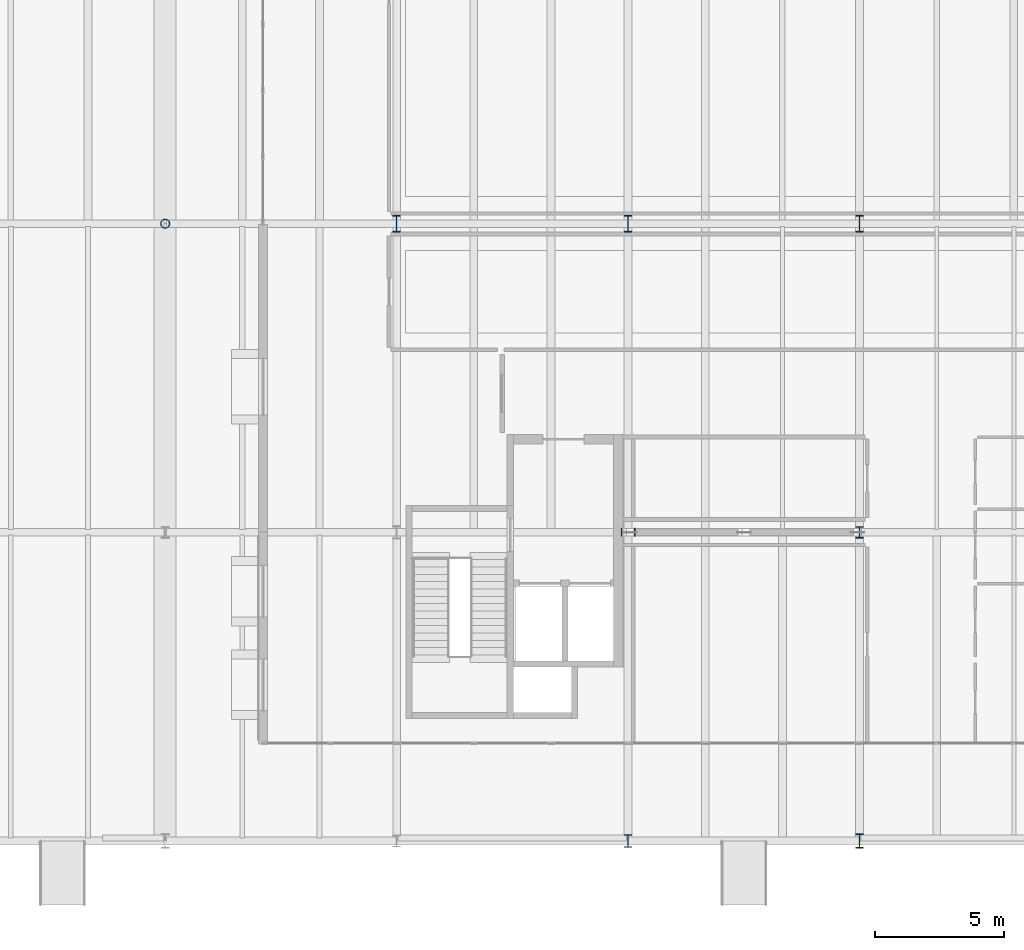
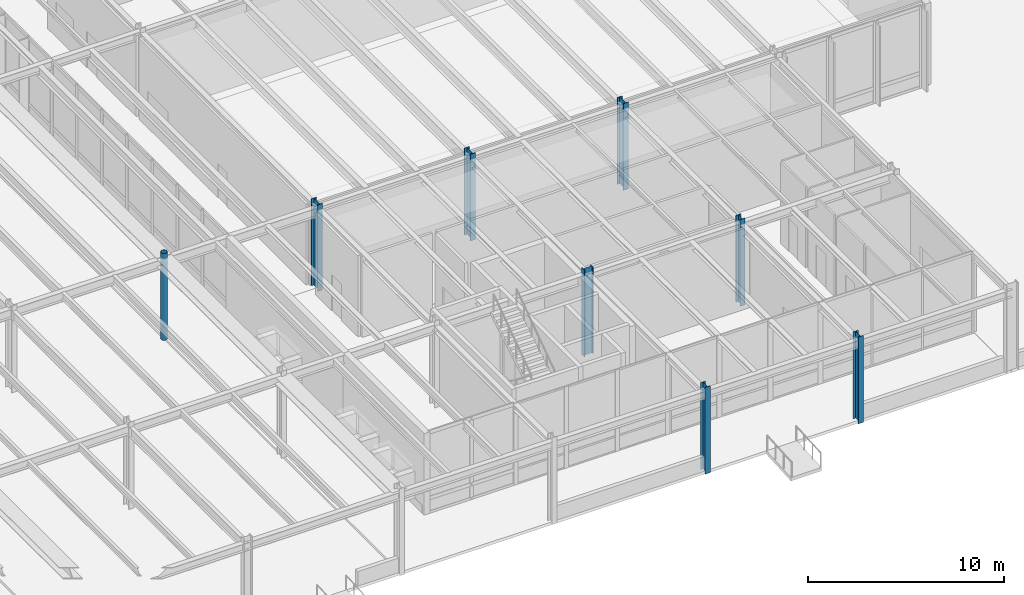
# One storey, part 5 of 143: 8 columns.
"""IFC4 building model written with IfcOpenShell, lengths in metres."""

from ifc_helpers import new_model, si_unit, direction, frame, origin, origin_2d, place, context, subcontext, project, spatial, hollow_circle, i_section, extrude, material, material_profile, profile_set, type_object, element, save


model = new_model("IFC4")

# Units and contexts
model_context = context("Model", 3, precision=1e-05, world=origin(), true_north=direction((0.0, 1.0)))
body_context = subcontext(model_context, "Body", "Model", "MODEL_VIEW")
ifc_project = project(units=[si_unit("LENGTHUNIT", "METRE"), si_unit("AREAUNIT", "SQUARE_METRE"), si_unit("VOLUMEUNIT", "CUBIC_METRE"), si_unit("PLANEANGLEUNIT", "RADIAN"), si_unit("MASSUNIT", "GRAM", prefix="KILO")], contexts=[model_context])

# Site, building, storey
site_placement = place(None, origin())
site = spatial("IfcSite", under=ifc_project, at=site_placement, CompositionType="ELEMENT")
building_placement = place(site_placement, origin())
building = spatial("IfcBuilding", under=site, at=building_placement, Name="Montelvaro Courts of Justice", CompositionType="ELEMENT")
storey_placement = place(building_placement, origin())
storey = spatial("IfcBuildingStorey", under=building, at=storey_placement, Name="L00", CompositionType="ELEMENT", Elevation=0.0)

# Columns
ifc_material = material(Name="Steel S355", Category="steel")
ifc_material_profile_1 = material_profile(ifc_material, hollow_circle(Radius=0.177734375, WallThickness=0.01611328125, at=origin_2d()), Name="CHS 355.6x16")
ifc_profile_set_1 = profile_set([ifc_material_profile_1], Name="Steel S355")
column_type_1 = type_object("IfcColumnType", Name="Col_CHS356", PredefinedType="PILASTER", material=ifc_profile_set_1)
column_1_placement = place(storey_placement, frame((99.0, 24.0, 0.0), z_axis=(0.0, 0.0, 1.0), x_axis=(1.0, 0.0, 0.0)))
element("IfcColumn", 1, at=column_1_placement, inside=storey, type_object=column_type_1, Name="Column C-19 L00 12/C", PredefinedType="PILASTER", context=body_context, shape_type="SweptSolid", body=[
    extrude(hollow_circle(Radius=0.177734375, WallThickness=0.01611328125, at=origin_2d()), origin(), (0.0, 0.0, 1.0), 5.39990234375),
])
ifc_material_profile_2 = material_profile(ifc_material, i_section(OverallWidth=0.300048828125, OverallDepth=0.449951171875, WebThickness=0.013916015625, FlangeThickness=0.02587890625, at=origin_2d()), Name="HEB 450")
ifc_profile_set_2 = profile_set([ifc_material_profile_2], Name="Steel S355")
column_type_2 = type_object("IfcColumnType", Name="Col_HEB450", PredefinedType="COLUMN", material=ifc_profile_set_2)
column_2_placement = place(storey_placement, frame((126.0, 12.0, 0.0), z_axis=(0.0, 0.0, 1.0), x_axis=(1.0, 0.0, 0.0)))
element("IfcColumn", 2, at=column_2_placement, inside=storey, type_object=column_type_2, Name="Column C-08 L00 15/B", PredefinedType="COLUMN", context=body_context, shape_type="SweptSolid", body=[
    extrude(i_section(OverallWidth=0.300048828125, OverallDepth=0.449951171875, WebThickness=0.013916015625, FlangeThickness=0.02587890625, at=origin_2d()), origin(), (0.0, 0.0, 1.0), 5.39990234375),
])
ifc_material_profile_3 = material_profile(ifc_material, i_section(OverallWidth=0.300048828125, OverallDepth=0.5, WebThickness=0.014404296875, FlangeThickness=0.028076171875, at=origin_2d()), Name="HEB 500")
ifc_profile_set_3 = profile_set([ifc_material_profile_3], Name="Steel S355")
column_type_3 = type_object("IfcColumnType", Name="Col_HEB500", PredefinedType="COLUMN", material=ifc_profile_set_3)
column_3_placement = place(storey_placement, frame((117.0, 0.0, 0.0), z_axis=(0.0, 0.0, 1.0), x_axis=(1.0, 0.0, 0.0)))
element("IfcColumn", 3, at=column_3_placement, inside=storey, type_object=column_type_3, Name="Column C-09 L00 14/A", PredefinedType="COLUMN", context=body_context, shape_type="SweptSolid", body=[
    extrude(i_section(OverallWidth=0.300048828125, OverallDepth=0.5, WebThickness=0.014404296875, FlangeThickness=0.028076171875, at=origin_2d()), origin(), (0.0, 0.0, 1.0), 5.39990234375),
])
ifc_material_profile_4 = material_profile(ifc_material, i_section(OverallWidth=0.300048828125, OverallDepth=0.550048828125, WebThickness=0.014892578125, FlangeThickness=0.029052734375, at=origin_2d()), Name="HEB 550")
ifc_profile_set_4 = profile_set([ifc_material_profile_4], Name="Steel S355")
column_type_4 = type_object("IfcColumnType", Name="Col_HEB550", PredefinedType="COLUMN", material=ifc_profile_set_4)
for number, where, z_axis, x_axis, name in (
    (4, (117.0, 12.0, 0.0), (0.0, 0.0, 1.0), (0.0, 1.0, 0.0), "Column C-10 L00 14/B"),
    (5, (126.0, 0.0, 0.0), (0.0, 0.0, 1.0), (1.0, 0.0, 0.0), "Column C-10 L00 15/A"),
):
    element("IfcColumn", number, at=place(storey_placement, frame(where, z_axis=z_axis, x_axis=x_axis)), inside=storey, type_object=column_type_4, Name=name, PredefinedType="COLUMN", context=body_context, shape_type="SweptSolid", body=[
        extrude(i_section(OverallWidth=0.300048828125, OverallDepth=0.550048828125, WebThickness=0.014892578125, FlangeThickness=0.029052734375, at=origin_2d()), origin(), (0.0, 0.0, 1.0), 5.39990234375),
    ])
ifc_material_profile_5 = material_profile(ifc_material, i_section(OverallWidth=0.300048828125, OverallDepth=0.64990234375, WebThickness=0.01611328125, FlangeThickness=0.031005859375, at=origin_2d()), Name="HEB 650")
ifc_profile_set_5 = profile_set([ifc_material_profile_5], Name="Steel S355")
column_type_5 = type_object("IfcColumnType", Name="Col_HEB650", PredefinedType="COLUMN", material=ifc_profile_set_5)
for number, where, z_axis, x_axis, name in (
    (6, (108.0, 24.0, 0.0), (0.0, 0.0, 1.0), (1.0, 0.0, 0.0), "Column C-12 L00 13/C"),
    (7, (117.0, 24.0, 0.0), (0.0, 0.0, 1.0), (1.0, 0.0, 0.0), "Column C-12 L00 14/C"),
    (8, (126.0, 24.0, 0.0), (0.0, 0.0, 1.0), (1.0, 0.0, 0.0), "Column C-12 L00 15/C"),
):
    element("IfcColumn", number, at=place(storey_placement, frame(where, z_axis=z_axis, x_axis=x_axis)), inside=storey, type_object=column_type_5, Name=name, PredefinedType="COLUMN", context=body_context, shape_type="SweptSolid", body=[
        extrude(i_section(OverallWidth=0.300048828125, OverallDepth=0.64990234375, WebThickness=0.01611328125, FlangeThickness=0.031005859375, at=origin_2d()), origin(), (0.0, 0.0, 1.0), 5.39990234375),
    ])

save(model, "model.ifc")
